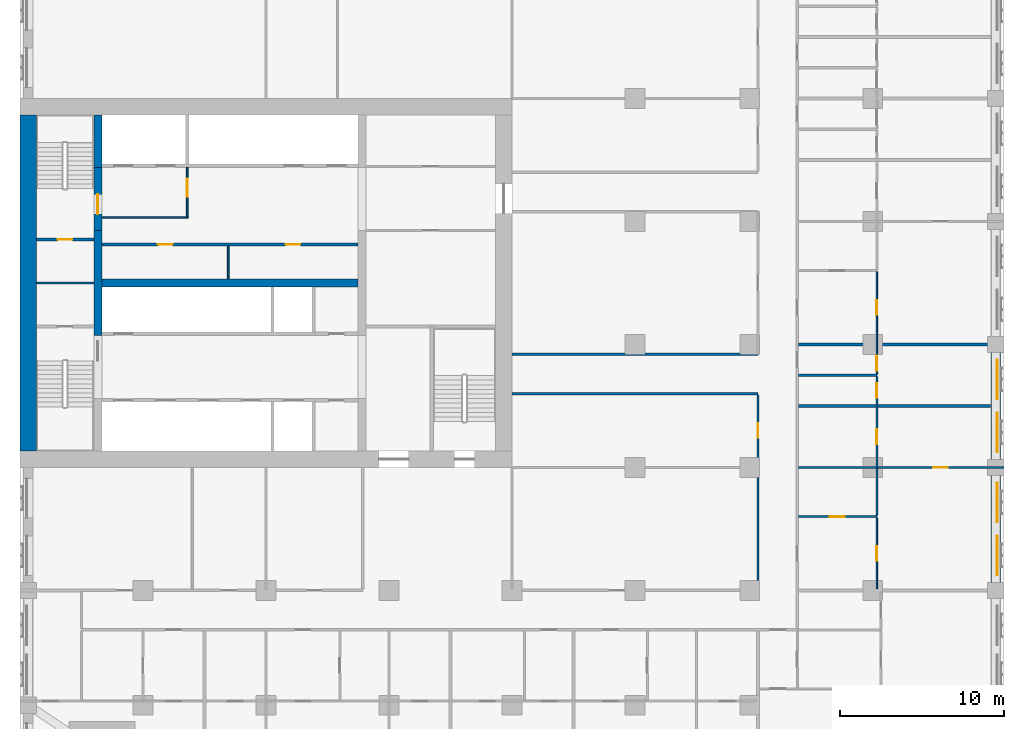
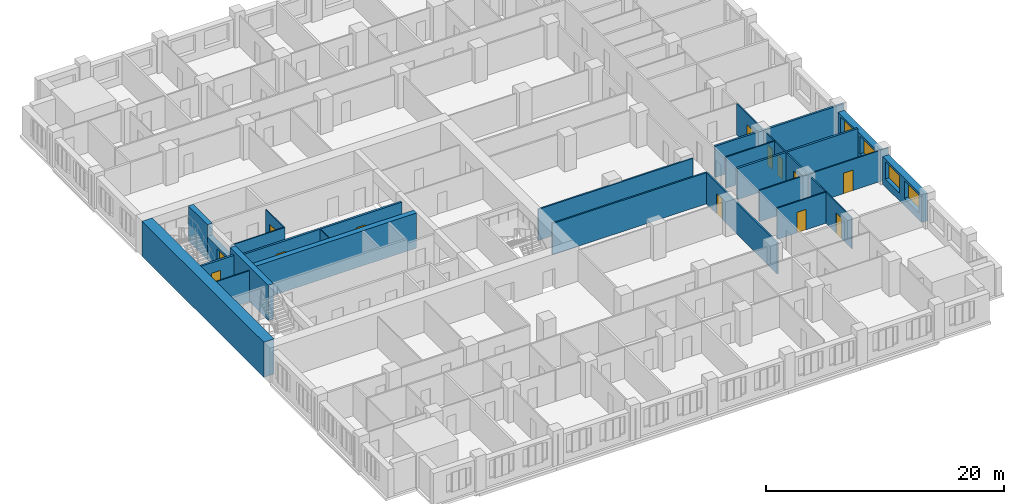
# One storey, part 7 of 14: 25 walls, 13 doors, 4 windows, 17 openings.
"""IFC4 building model written with IfcOpenShell, lengths in metres."""

from ifc_helpers import new_model, si_unit, direction, frame, frame_2d, origin, place, context, subcontext, project, spatial, rectangle, extrude, material, layer, layer_set, type_object, element, fill, save


model = new_model("IFC4")

# Units and contexts
model_context = context("Model", 3, precision=1e-05, world=origin(), true_north=direction((0.0, 1.0)))
body_context = subcontext(model_context, "Body", "Model", "MODEL_VIEW")
ifc_project = project(units=[si_unit("LENGTHUNIT", "METRE"), si_unit("AREAUNIT", "SQUARE_METRE"), si_unit("VOLUMEUNIT", "CUBIC_METRE"), si_unit("PLANEANGLEUNIT", "RADIAN"), si_unit("MASSUNIT", "GRAM", prefix="KILO")], contexts=[model_context])

# Site, building, storey
site_placement = place(None, origin())
site = spatial("IfcSite", under=ifc_project, at=site_placement, CompositionType="ELEMENT")
building_placement = place(site_placement, origin())
building = spatial("IfcBuilding", under=site, at=building_placement, Name="Tamorin Gate", CompositionType="ELEMENT")
storey_placement = place(building_placement, frame((0.0, 0.0, 70.0)))
storey = spatial("IfcBuildingStorey", under=building, at=storey_placement, Name="L16", CompositionType="ELEMENT", Elevation=70.0)

# Wall, openings, windows
ifc_material_1 = material(Name="Precast concrete C40/50", Category="concrete")
ifc_layer_1 = layer(ifc_material_1, 0.60009765625)
ifc_layer_set_1 = layer_set([ifc_layer_1], Name="Precast concrete C40/50")
wall_type_1 = type_object("IfcWallType", Name="Board-marked concrete facade panel 600", PredefinedType="SOLIDWALL", material=ifc_layer_set_1)
wall_1_placement = place(storey_placement, frame((89.5, 53.0, 0.0), z_axis=(0.0, 0.0, 1.0), x_axis=(0.0, 1.0, 0.0)))
wall_1 = element("IfcWall", 1, at=wall_1_placement, inside=storey, type_object=wall_type_1, Name="Facade panel", PredefinedType="SOLIDWALL", context=body_context, shape_type="SweptSolid", body=[
    extrude(rectangle(XDim=6.5, YDim=0.60009765625, at=frame_2d((3.25, 0.0))), origin(), (0.0, 0.0, 1.0), 2.85009765625),
])
opening_1_placement = place(wall_1_placement, frame((0.425048828125, 0.0, 0.800048828125)))
opening_1 = element("IfcOpeningElement", 2, at=opening_1_placement, cuts=wall_1, Name="Opening WN1", PredefinedType="OPENING", context=body_context, shape_type="SweptSolid", body=[
    extrude(rectangle(XDim=2.39990234375, YDim=1.800048828125, at=frame_2d((1.199951171875, 0.89990234375))), frame((0.0, 0.31005859375, 0.0), z_axis=(0.0, -1.0, 0.0), x_axis=(1.0, 0.0, 0.0)), (0.0, 0.0, 1.0), 0.6201171875),
])
opening_2_placement = place(wall_1_placement, frame((3.675048828125, 0.0, 0.800048828125)))
opening_2 = element("IfcOpeningElement", 3, at=opening_2_placement, cuts=wall_1, Name="Opening WN1", PredefinedType="OPENING", context=body_context, shape_type="SweptSolid", body=[
    extrude(rectangle(XDim=2.39990234375, YDim=1.800048828125, at=frame_2d((1.199951171875, 0.89990234375))), frame((0.0, 0.31005859375, 0.0), z_axis=(0.0, -1.0, 0.0), x_axis=(1.0, 0.0, 0.0)), (0.0, 0.0, 1.0), 0.6201171875),
])
ifc_material_2 = material(Name="Clear glass in aluminium frame", Category="aluminium")
window_type = type_object("IfcWindowType", Name="Deep-set window 2400x1800", PartitioningType="SINGLE_PANEL", PredefinedType="WINDOW", material=ifc_material_2)
window_1_placement = place(opening_1_placement, origin())
window_1 = element("IfcWindow", 4, at=window_1_placement, inside=storey, type_object=window_type, Name="Deep-set window", OverallHeight=1.800048828125, OverallWidth=2.39990234375, PartitioningType="SINGLE_PANEL", PredefinedType="WINDOW", context=body_context, shape_type="SweptSolid", body=[
    extrude(rectangle(XDim=2.39990234375, YDim=1.800048828125, at=frame_2d((1.199951171875, 0.89990234375))), frame((0.0, -0.070068359375, 0.0), z_axis=(0.0, -1.0, 0.0), x_axis=(1.0, 0.0, 0.0)), (0.0, 0.0, 1.0), 0.06005859375),
])
fill(opening_1, window_1)
window_2_placement = place(opening_2_placement, origin())
window_2 = element("IfcWindow", 5, at=window_2_placement, inside=storey, type_object=window_type, Name="Deep-set window", OverallHeight=1.800048828125, OverallWidth=2.39990234375, PartitioningType="SINGLE_PANEL", PredefinedType="WINDOW", context=body_context, shape_type="SweptSolid", body=[
    extrude(rectangle(XDim=2.39990234375, YDim=1.800048828125, at=frame_2d((1.199951171875, 0.89990234375))), frame((0.0, -0.070068359375, 0.0), z_axis=(0.0, -1.0, 0.0), x_axis=(1.0, 0.0, 0.0)), (0.0, 0.0, 1.0), 0.06005859375),
])
fill(opening_2, window_2)

wall_2_placement = place(storey_placement, frame((89.5, 60.5, 0.0), z_axis=(0.0, 0.0, 1.0), x_axis=(0.0, 1.0, 0.0)))
wall_2 = element("IfcWall", 6, at=wall_2_placement, inside=storey, type_object=wall_type_1, Name="Facade panel", PredefinedType="SOLIDWALL", context=body_context, shape_type="SweptSolid", body=[
    extrude(rectangle(XDim=6.5, YDim=0.60009765625, at=frame_2d((3.25, 0.0))), origin(), (0.0, 0.0, 1.0), 2.85009765625),
])
opening_3_placement = place(wall_2_placement, frame((0.425048828125, 0.0, 0.800048828125)))
opening_3 = element("IfcOpeningElement", 7, at=opening_3_placement, cuts=wall_2, Name="Opening WN1", PredefinedType="OPENING", context=body_context, shape_type="SweptSolid", body=[
    extrude(rectangle(XDim=2.39990234375, YDim=1.800048828125, at=frame_2d((1.199951171875, 0.89990234375))), frame((0.0, 0.31005859375, 0.0), z_axis=(0.0, -1.0, 0.0), x_axis=(1.0, 0.0, 0.0)), (0.0, 0.0, 1.0), 0.6201171875),
])
opening_4_placement = place(wall_2_placement, frame((3.675048828125, 0.0, 0.800048828125)))
opening_4 = element("IfcOpeningElement", 8, at=opening_4_placement, cuts=wall_2, Name="Opening WN1", PredefinedType="OPENING", context=body_context, shape_type="SweptSolid", body=[
    extrude(rectangle(XDim=2.39990234375, YDim=1.800048828125, at=frame_2d((1.199951171875, 0.89990234375))), frame((0.0, 0.31005859375, 0.0), z_axis=(0.0, -1.0, 0.0), x_axis=(1.0, 0.0, 0.0)), (0.0, 0.0, 1.0), 0.6201171875),
])
window_3_placement = place(opening_3_placement, origin())
window_3 = element("IfcWindow", 9, at=window_3_placement, inside=storey, type_object=window_type, Name="Deep-set window", OverallHeight=1.800048828125, OverallWidth=2.39990234375, PartitioningType="SINGLE_PANEL", PredefinedType="WINDOW", context=body_context, shape_type="SweptSolid", body=[
    extrude(rectangle(XDim=2.39990234375, YDim=1.800048828125, at=frame_2d((1.199951171875, 0.89990234375))), frame((0.0, -0.070068359375, 0.0), z_axis=(0.0, -1.0, 0.0), x_axis=(1.0, 0.0, 0.0)), (0.0, 0.0, 1.0), 0.06005859375),
])
fill(opening_3, window_3)
window_4_placement = place(opening_4_placement, origin())
window_4 = element("IfcWindow", 10, at=window_4_placement, inside=storey, type_object=window_type, Name="Deep-set window", OverallHeight=1.800048828125, OverallWidth=2.39990234375, PartitioningType="SINGLE_PANEL", PredefinedType="WINDOW", context=body_context, shape_type="SweptSolid", body=[
    extrude(rectangle(XDim=2.39990234375, YDim=1.800048828125, at=frame_2d((1.199951171875, 0.89990234375))), frame((0.0, -0.070068359375, 0.0), z_axis=(0.0, -1.0, 0.0), x_axis=(1.0, 0.0, 0.0)), (0.0, 0.0, 1.0), 0.06005859375),
])
fill(opening_4, window_4)

# Wall, opening, door
ifc_material_3 = material(Name="Gypsum board partition")
ifc_layer_2 = layer(ifc_material_3, 0.14990234375)
ifc_layer_set_2 = layer_set([ifc_layer_2], Name="Corridor wall 150")
wall_type_2 = type_object("IfcWallType", Name="Corridor wall 150", PredefinedType="PARTITIONING", material=ifc_layer_set_2)
wall_3_placement = place(storey_placement, frame((75.0, 52.574951171875, 0.0), z_axis=(0.0, 0.0, 1.0), x_axis=(0.0, 1.0, 0.0)))
wall_3 = element("IfcWall", 11, at=wall_3_placement, inside=storey, type_object=wall_type_2, Name="Corridor wall 150", PredefinedType="PARTITIONING", context=body_context, shape_type="SweptSolid", body=[
    extrude(rectangle(XDim=11.85009765625, YDim=0.14990234375, at=frame_2d((5.925048828125, 0.0))), origin(), (0.0, 0.0, 1.0), 3.199951171875),
])
opening_5_placement = place(wall_3_placement, frame((9.22509765625, 0.0, 0.0)))
opening_5 = element("IfcOpeningElement", 12, at=opening_5_placement, cuts=wall_3, Name="Opening DH3081", PredefinedType="OPENING", context=body_context, shape_type="SweptSolid", body=[
    extrude(rectangle(XDim=0.89990234375, YDim=2.10009765625, at=frame_2d((0.449951171875, 1.050048828125))), frame((0.0, 0.0849609375, 0.0), z_axis=(0.0, -1.0, 0.0), x_axis=(1.0, 0.0, 0.0)), (0.0, 0.0, 1.0), 0.169921875),
])
ifc_material_4 = material(Name="Timber door leaf", Category="wood")
door_type_1 = type_object("IfcDoorType", Name="Door 900 x 2100 FD30S", OperationType="NOTDEFINED", PredefinedType="DOOR", material=ifc_material_4)
door_1_placement = place(opening_5_placement, origin())
door_1 = element("IfcDoor", 13, at=door_1_placement, inside=storey, type_object=door_type_1, Name="Door DH3081", OperationType="SINGLE_SWING_LEFT", OverallHeight=2.10009765625, OverallWidth=0.89990234375, PredefinedType="DOOR", context=body_context, shape_type="SweptSolid", body=[
    extrude(rectangle(XDim=0.89990234375, YDim=2.10009765625, at=frame_2d((0.449951171875, 1.050048828125))), frame((0.0, 0.02490234375, 0.0), z_axis=(0.0, -1.0, 0.0), x_axis=(1.0, 0.0, 0.0)), (0.0, 0.0, 1.0), 0.050048828125),
])
fill(opening_5, door_1)

# Walls
ifc_layer_3 = layer(ifc_material_3, 0.199951171875)
ifc_layer_set_3 = layer_set([ifc_layer_3], Name="Demising wall 200")
wall_type_3 = type_object("IfcWallType", Name="Demising wall 200", PredefinedType="PARTITIONING", material=ifc_layer_set_3)
wall_4_placement = place(storey_placement, frame((77.47509765625, 63.75, 0.0), z_axis=(0.0, 0.0, 1.0), x_axis=(1.0, 0.0, 0.0)))
element("IfcWall", 14, at=wall_4_placement, inside=storey, type_object=wall_type_3, Name="Demising wall 200", PredefinedType="PARTITIONING", context=body_context, shape_type="SweptSolid", body=[
    extrude(rectangle(XDim=11.71484375, YDim=0.199951171875, at=frame_2d((5.857421875, 0.0))), origin(), (0.0, 0.0, 1.0), 3.199951171875),
])
wall_5_placement = place(storey_placement, frame((77.47509765625, 67.5, 0.0), z_axis=(0.0, 0.0, 1.0), x_axis=(1.0, 0.0, 0.0)))
element("IfcWall", 15, at=wall_5_placement, inside=storey, type_object=wall_type_3, Name="Demising wall 200", PredefinedType="PARTITIONING", context=body_context, shape_type="SweptSolid", body=[
    extrude(rectangle(XDim=12.52490234375, YDim=0.199951171875, at=frame_2d((6.262451171875, 0.0))), origin(), (0.0, 0.0, 1.0), 3.199951171875),
])
ifc_material_5 = material(Name="Fire-rated gypsum board partition")
ifc_layer_4 = layer(ifc_material_5, 0.10009765625)
ifc_layer_set_4 = layer_set([ifc_layer_4], Name="Lobby wall 100 EI 60")
wall_type_4 = type_object("IfcWallType", Name="Lobby wall 100 EI 60", PredefinedType="PARTITIONING", material=ifc_layer_set_4)
wall_6_placement = place(storey_placement, frame((35.0, 75.25, 0.0), z_axis=(0.0, 0.0, 1.0), x_axis=(1.0, 0.0, 0.0)))
element("IfcWall", 16, at=wall_6_placement, inside=storey, type_object=wall_type_4, Name="Firefighting lobby wall", PredefinedType="PARTITIONING", context=body_context, shape_type="SweptSolid", body=[
    extrude(rectangle(XDim=5.25, YDim=0.10009765625, at=frame_2d((2.625, 0.0))), origin(), (0.0, 0.0, 1.0), 3.18994140625),
])

# Wall, opening, door
wall_7_placement = place(storey_placement, frame((40.199951171875, 75.300048828125, 0.0), z_axis=(0.0, 0.0, 1.0), x_axis=(0.0, 1.0, 0.0)))
wall_7 = element("IfcWall", 17, at=wall_7_placement, inside=storey, type_object=wall_type_4, Name="Firefighting lobby wall", PredefinedType="PARTITIONING", context=body_context, shape_type="SweptSolid", body=[
    extrude(rectangle(XDim=3.0, YDim=0.10009765625, at=frame_2d((1.5, 0.0))), origin(), (0.0, 0.0, 1.0), 3.18994140625),
])
opening_6_placement = place(wall_7_placement, frame((1.199951171875, 0.0, 0.0)))
opening_6 = element("IfcOpeningElement", 18, at=opening_6_placement, cuts=wall_7, Name="Opening DF1", PredefinedType="OPENING", context=body_context, shape_type="SweptSolid", body=[
    extrude(rectangle(XDim=1.10009765625, YDim=2.10009765625, at=frame_2d((0.550048828125, 1.050048828125))), frame((0.0, 0.06005859375, 0.0), z_axis=(0.0, -1.0, 0.0), x_axis=(1.0, 0.0, 0.0)), (0.0, 0.0, 1.0), 0.1201171875),
])
ifc_material_6 = material(Name="Steel fire door", Category="steel")
door_type_2 = type_object("IfcDoorType", Name="Firefighting lobby door 1100 x 2100 EI 90", OperationType="SINGLE_SWING_LEFT", PredefinedType="DOOR", material=ifc_material_6)
door_2_placement = place(opening_6_placement, origin())
door_2 = element("IfcDoor", 19, at=door_2_placement, inside=storey, type_object=door_type_2, Name="Firefighting lobby door", OperationType="SINGLE_SWING_LEFT", OverallHeight=2.10009765625, OverallWidth=1.10009765625, PredefinedType="DOOR", context=body_context, shape_type="SweptSolid", body=[
    extrude(rectangle(XDim=1.10009765625, YDim=2.10009765625, at=frame_2d((0.550048828125, 1.050048828125))), frame((0.0, 0.02490234375, 0.0), z_axis=(0.0, -1.0, 0.0), x_axis=(1.0, 0.0, 0.0)), (0.0, 0.0, 1.0), 0.050048828125),
])
fill(opening_6, door_2)

# Walls
ifc_layer_5 = layer(ifc_material_3, 0.14990234375)
ifc_layer_set_5 = layer_set([ifc_layer_5], Name="Lobby wall 150")
wall_type_5 = type_object("IfcWallType", Name="Lobby wall 150", PredefinedType="PARTITIONING", material=ifc_layer_set_5)
for number, where, z_axis, x_axis, name in (
    (20, (60.0, 64.5, 0.0), (0.0, 0.0, 1.0), (1.0, 0.0, 0.0), "Lobby wall 150"),
    (21, (60.0, 66.89990234375, 0.0), (0.0, 0.0, 1.0), (1.0, 0.0, 0.0), "Lobby wall 150"),
):
    element("IfcWall", number, at=place(storey_placement, frame(where, z_axis=z_axis, x_axis=x_axis)), inside=storey, type_object=wall_type_5, Name=name, PredefinedType="PARTITIONING", context=body_context, shape_type="SweptSolid", body=[
        extrude(rectangle(XDim=15.0, YDim=0.14990234375, at=frame_2d((7.5, 0.0))), origin(), (0.0, 0.0, 1.0), 3.199951171875),
    ])
ifc_material_7 = material(Name="Concrete C80/95", Category="concrete")
ifc_layer_6 = layer(ifc_material_7, 0.5)
ifc_layer_set_6 = layer_set([ifc_layer_6], Name="RC core internal wall 500 C80/95")
wall_type_6 = type_object("IfcWallType", Name="RC core internal wall 500 C80/95", PredefinedType="SHEAR", material=ifc_layer_set_6)
wall_8_placement = place(storey_placement, frame((35.0, 71.25, 0.0), z_axis=(0.0, 0.0, 1.0), x_axis=(1.0, 0.0, 0.0)))
element("IfcWall", 22, at=wall_8_placement, inside=storey, type_object=wall_type_6, Name="Core spine wall L16", PredefinedType="SHEAR", context=body_context, shape_type="SweptSolid", body=[
    extrude(rectangle(XDim=15.60009765625, YDim=0.5, at=frame_2d((7.800048828125, 0.0))), origin(), (0.0, 0.0, 1.0), 3.60009765625),
])
wall_9_placement = place(storey_placement, frame((34.75, 68.050048828125, 0.0), z_axis=(0.0, 0.0, 1.0), x_axis=(0.0, 1.0, 0.0)))
element("IfcWall", 23, at=wall_9_placement, inside=storey, type_object=wall_type_6, Name="Core cross wall L16", PredefinedType="SHEAR", context=body_context, shape_type="SweptSolid", body=[
    extrude(rectangle(XDim=6.39990234375, YDim=0.5, at=frame_2d((3.199951171875, 0.0))), origin(), (0.0, 0.0, 1.0), 3.60009765625),
])
wall_10_placement = place(storey_placement, frame((34.75, 78.300048828125, 0.0), z_axis=(0.0, 0.0, 1.0), x_axis=(0.0, 1.0, 0.0)))
element("IfcWall", 24, at=wall_10_placement, inside=storey, type_object=wall_type_6, Name="Core cross wall L16", PredefinedType="SHEAR", context=body_context, shape_type="SweptSolid", body=[
    extrude(rectangle(XDim=3.199951171875, YDim=0.5, at=frame_2d((1.60009765625, 0.0))), origin(), (0.0, 0.0, 1.0), 3.60009765625),
])
ifc_layer_7 = layer(ifc_material_7, 1.0)
ifc_layer_set_7 = layer_set([ifc_layer_7], Name="RC core wall 1000 C80/95")
wall_type_7 = type_object("IfcWallType", Name="RC core wall 1000 C80/95", PredefinedType="SHEAR", material=ifc_layer_set_7)
wall_11_placement = place(storey_placement, frame((30.5, 61.0, 0.0), z_axis=(0.0, 0.0, 1.0), x_axis=(0.0, 1.0, 0.0)))
element("IfcWall", 25, at=wall_11_placement, inside=storey, type_object=wall_type_7, Name="Core wall L16", PredefinedType="SHEAR", context=body_context, shape_type="SweptSolid", body=[
    extrude(rectangle(XDim=20.5, YDim=1.0, at=frame_2d((10.25, 0.0))), origin(), (0.0, 0.0, 1.0), 3.60009765625),
])
ifc_layer_8 = layer(ifc_material_5, 0.10009765625)
ifc_layer_set_8 = layer_set([ifc_layer_8], Name="Riser partition 100 EI 120")
wall_type_8 = type_object("IfcWallType", Name="Riser partition 100 EI 120", PredefinedType="PARTITIONING", material=ifc_layer_set_8)
wall_12_placement = place(storey_placement, frame((31.0, 71.25, 0.0), z_axis=(0.0, 0.0, 1.0), x_axis=(1.0, 0.0, 0.0)))
element("IfcWall", 26, at=wall_12_placement, inside=storey, type_object=wall_type_8, Name="Riser partition", PredefinedType="PARTITIONING", context=body_context, shape_type="SweptSolid", body=[
    extrude(rectangle(XDim=3.5, YDim=0.10009765625, at=frame_2d((1.75, 0.0))), origin(), (0.0, 0.0, 1.0), 3.18994140625),
])

# Wall, opening, door
ifc_layer_9 = layer(ifc_material_3, 0.10009765625)
ifc_layer_set_9 = layer_set([ifc_layer_9], Name="Room partition 100")
wall_type_9 = type_object("IfcWallType", Name="Room partition 100", PredefinedType="PARTITIONING", material=ifc_layer_set_9)
wall_13_placement = place(storey_placement, frame((82.3125, 60.0, 0.0), z_axis=(0.0, 0.0, 1.0), x_axis=(1.0, 0.0, 0.0)))
wall_13 = element("IfcWall", 27, at=wall_13_placement, inside=storey, type_object=wall_type_9, Name="Room partition 100", PredefinedType="PARTITIONING", context=body_context, shape_type="SweptSolid", body=[
    extrude(rectangle(XDim=7.6875, YDim=0.10009765625, at=frame_2d((3.84375, 0.0))), origin(), (0.0, 0.0, 1.0), 3.199951171875),
])
opening_7_placement = place(wall_13_placement, frame((3.362548828125, 0.0, 0.0)))
opening_7 = element("IfcOpeningElement", 28, at=opening_7_placement, cuts=wall_13, Name="Opening DH3043", PredefinedType="OPENING", context=body_context, shape_type="SweptSolid", body=[
    extrude(rectangle(XDim=0.89990234375, YDim=2.10009765625, at=frame_2d((0.449951171875, 1.050048828125))), frame((0.0, 0.06005859375, 0.0), z_axis=(0.0, -1.0, 0.0), x_axis=(1.0, 0.0, 0.0)), (0.0, 0.0, 1.0), 0.1201171875),
])
door_type_3 = type_object("IfcDoorType", Name="Door 900 x 2100", OperationType="NOTDEFINED", PredefinedType="DOOR", material=ifc_material_4)
door_3_placement = place(opening_7_placement, origin())
door_3 = element("IfcDoor", 29, at=door_3_placement, inside=storey, type_object=door_type_3, Name="Door DH3043", OperationType="SINGLE_SWING_RIGHT", OverallHeight=2.10009765625, OverallWidth=0.89990234375, PredefinedType="DOOR", context=body_context, shape_type="SweptSolid", body=[
    extrude(rectangle(XDim=0.89990234375, YDim=2.10009765625, at=frame_2d((0.449951171875, 1.050048828125))), frame((0.0, 0.02490234375, 0.0), z_axis=(0.0, -1.0, 0.0), x_axis=(1.0, 0.0, 0.0)), (0.0, 0.0, 1.0), 0.050048828125),
])
fill(opening_7, door_3)

wall_14_placement = place(storey_placement, frame((82.25, 52.60009765625, 0.0), z_axis=(0.0, 0.0, 1.0), x_axis=(0.0, 1.0, 0.0)))
wall_14 = element("IfcWall", 30, at=wall_14_placement, inside=storey, type_object=wall_type_9, Name="Room partition 100", PredefinedType="PARTITIONING", context=body_context, shape_type="SweptSolid", body=[
    extrude(rectangle(XDim=4.33740234375, YDim=0.10009765625, at=frame_2d((2.168701171875, 0.0))), origin(), (0.0, 0.0, 1.0), 3.199951171875),
])
opening_8_placement = place(wall_14_placement, frame((1.699951171875, 0.0, 0.0)))
opening_8 = element("IfcOpeningElement", 31, at=opening_8_placement, cuts=wall_14, Name="Opening DH3040", PredefinedType="OPENING", context=body_context, shape_type="SweptSolid", body=[
    extrude(rectangle(XDim=0.89990234375, YDim=2.10009765625, at=frame_2d((0.449951171875, 1.050048828125))), frame((0.0, 0.06005859375, 0.0), z_axis=(0.0, -1.0, 0.0), x_axis=(1.0, 0.0, 0.0)), (0.0, 0.0, 1.0), 0.1201171875),
])
door_4_placement = place(opening_8_placement, origin())
door_4 = element("IfcDoor", 32, at=door_4_placement, inside=storey, type_object=door_type_3, Name="Door DH3040", OperationType="SINGLE_SWING_LEFT", OverallHeight=2.10009765625, OverallWidth=0.89990234375, PredefinedType="DOOR", context=body_context, shape_type="SweptSolid", body=[
    extrude(rectangle(XDim=0.89990234375, YDim=2.10009765625, at=frame_2d((0.449951171875, 1.050048828125))), frame((0.0, 0.02490234375, 0.0), z_axis=(0.0, -1.0, 0.0), x_axis=(1.0, 0.0, 0.0)), (0.0, 0.0, 1.0), 0.050048828125),
])
fill(opening_8, door_4)

# Wall, openings, doors
wall_15_placement = place(storey_placement, frame((82.25, 65.6875, 0.0), z_axis=(0.0, 0.0, 1.0), x_axis=(0.0, 1.0, 0.0)))
wall_15 = element("IfcWall", 33, at=wall_15_placement, inside=storey, type_object=wall_type_9, Name="Room partition 100", PredefinedType="PARTITIONING", context=body_context, shape_type="SweptSolid", body=[
    extrude(rectangle(XDim=6.25, YDim=0.10009765625, at=frame_2d((3.125, 0.0))), origin(), (0.0, 0.0, 1.0), 3.199951171875),
])
opening_9_placement = place(wall_15_placement, frame((0.22509765625, 0.0, 0.0)))
opening_9 = element("IfcOpeningElement", 34, at=opening_9_placement, cuts=wall_15, Name="Opening DH3046", PredefinedType="OPENING", context=body_context, shape_type="SweptSolid", body=[
    extrude(rectangle(XDim=0.89990234375, YDim=2.10009765625, at=frame_2d((0.449951171875, 1.050048828125))), frame((0.0, 0.06005859375, 0.0), z_axis=(0.0, -1.0, 0.0), x_axis=(1.0, 0.0, 0.0)), (0.0, 0.0, 1.0), 0.1201171875),
])
opening_10_placement = place(wall_15_placement, frame((3.612548828125, 0.0, 0.0)))
opening_10 = element("IfcOpeningElement", 35, at=opening_10_placement, cuts=wall_15, Name="Opening DH3048", PredefinedType="OPENING", context=body_context, shape_type="SweptSolid", body=[
    extrude(rectangle(XDim=0.89990234375, YDim=2.10009765625, at=frame_2d((0.449951171875, 1.050048828125))), frame((0.0, 0.06005859375, 0.0), z_axis=(0.0, -1.0, 0.0), x_axis=(1.0, 0.0, 0.0)), (0.0, 0.0, 1.0), 0.1201171875),
])
door_5_placement = place(opening_9_placement, origin())
door_5 = element("IfcDoor", 36, at=door_5_placement, inside=storey, type_object=door_type_3, Name="Door DH3046", OperationType="SINGLE_SWING_LEFT", OverallHeight=2.10009765625, OverallWidth=0.89990234375, PredefinedType="DOOR", context=body_context, shape_type="SweptSolid", body=[
    extrude(rectangle(XDim=0.89990234375, YDim=2.10009765625, at=frame_2d((0.449951171875, 1.050048828125))), frame((0.0, 0.02490234375, 0.0), z_axis=(0.0, -1.0, 0.0), x_axis=(1.0, 0.0, 0.0)), (0.0, 0.0, 1.0), 0.050048828125),
])
fill(opening_9, door_5)
door_6_placement = place(opening_10_placement, origin())
door_6 = element("IfcDoor", 37, at=door_6_placement, inside=storey, type_object=door_type_3, Name="Door DH3048", OperationType="SINGLE_SWING_LEFT", OverallHeight=2.10009765625, OverallWidth=0.89990234375, PredefinedType="DOOR", context=body_context, shape_type="SweptSolid", body=[
    extrude(rectangle(XDim=0.89990234375, YDim=2.10009765625, at=frame_2d((0.449951171875, 1.050048828125))), frame((0.0, 0.02490234375, 0.0), z_axis=(0.0, -1.0, 0.0), x_axis=(1.0, 0.0, 0.0)), (0.0, 0.0, 1.0), 0.050048828125),
])
fill(opening_10, door_6)

ifc_layer_10 = layer(ifc_material_3, 0.199951171875)
ifc_layer_set_10 = layer_set([ifc_layer_10], Name="Service room face wall 200 EI 60")
wall_type_10 = type_object("IfcWallType", Name="Service room face wall 200 EI 60", PredefinedType="PARTITIONING", material=ifc_layer_set_10)
wall_16_placement = place(storey_placement, frame((35.0, 73.60009765625, 0.0), z_axis=(0.0, 0.0, 1.0), x_axis=(1.0, 0.0, 0.0)))
wall_16 = element("IfcWall", 38, at=wall_16_placement, inside=storey, type_object=wall_type_10, Name="Service room face wall", PredefinedType="PARTITIONING", context=body_context, shape_type="SweptSolid", body=[
    extrude(rectangle(XDim=15.60009765625, YDim=0.199951171875, at=frame_2d((7.800048828125, 0.0))), origin(), (0.0, 0.0, 1.0), 3.18994140625),
])
opening_11_placement = place(wall_16_placement, frame((3.39990234375, 0.0, 0.0)))
opening_11 = element("IfcOpeningElement", 39, at=opening_11_placement, cuts=wall_16, Name="Opening DK1", PredefinedType="OPENING", context=body_context, shape_type="SweptSolid", body=[
    extrude(rectangle(XDim=0.89990234375, YDim=2.10009765625, at=frame_2d((0.449951171875, 1.050048828125))), frame((0.0, 0.10986328125, 0.0), z_axis=(0.0, -1.0, 0.0), x_axis=(1.0, 0.0, 0.0)), (0.0, 0.0, 1.0), 0.219970703125),
])
opening_12_placement = place(wall_16_placement, frame((11.199951171875, 0.0, 0.0)))
opening_12 = element("IfcOpeningElement", 40, at=opening_12_placement, cuts=wall_16, Name="Opening DK1", PredefinedType="OPENING", context=body_context, shape_type="SweptSolid", body=[
    extrude(rectangle(XDim=0.89990234375, YDim=2.10009765625, at=frame_2d((0.449951171875, 1.050048828125))), frame((0.0, 0.10986328125, 0.0), z_axis=(0.0, -1.0, 0.0), x_axis=(1.0, 0.0, 0.0)), (0.0, 0.0, 1.0), 0.219970703125),
])
ifc_material_8 = material(Name="Timber fire door", Category="wood")
door_type_4 = type_object("IfcDoorType", Name="Service room door 900 x 2100 EI 60", OperationType="SINGLE_SWING_LEFT", PredefinedType="DOOR", material=ifc_material_8)
door_7_placement = place(opening_11_placement, origin())
door_7 = element("IfcDoor", 41, at=door_7_placement, inside=storey, type_object=door_type_4, Name="Door Housekeeping store", OperationType="SINGLE_SWING_RIGHT", OverallHeight=2.10009765625, OverallWidth=0.89990234375, PredefinedType="DOOR", context=body_context, shape_type="SweptSolid", body=[
    extrude(rectangle(XDim=0.89990234375, YDim=2.10009765625, at=frame_2d((0.449951171875, 1.050048828125))), frame((0.0, 0.02490234375, 0.0), z_axis=(0.0, -1.0, 0.0), x_axis=(1.0, 0.0, 0.0)), (0.0, 0.0, 1.0), 0.050048828125),
])
fill(opening_11, door_7)
door_8_placement = place(opening_12_placement, origin())
door_8 = element("IfcDoor", 42, at=door_8_placement, inside=storey, type_object=door_type_4, Name="Door Electrical and IT room", OperationType="SINGLE_SWING_LEFT", OverallHeight=2.10009765625, OverallWidth=0.89990234375, PredefinedType="DOOR", context=body_context, shape_type="SweptSolid", body=[
    extrude(rectangle(XDim=0.89990234375, YDim=2.10009765625, at=frame_2d((0.449951171875, 1.050048828125))), frame((0.0, 0.02490234375, 0.0), z_axis=(0.0, -1.0, 0.0), x_axis=(1.0, 0.0, 0.0)), (0.0, 0.0, 1.0), 0.050048828125),
])
fill(opening_12, door_8)

# Wall
ifc_layer_11 = layer(ifc_material_3, 0.10009765625)
ifc_layer_set_11 = layer_set([ifc_layer_11], Name="Service room partition 100 EI 60")
wall_type_11 = type_object("IfcWallType", Name="Service room partition 100 EI 60", PredefinedType="PARTITIONING", material=ifc_layer_set_11)
wall_17_placement = place(storey_placement, frame((42.699951171875, 71.5, 0.0), z_axis=(0.0, 0.0, 1.0), x_axis=(0.0, 1.0, 0.0)))
element("IfcWall", 43, at=wall_17_placement, inside=storey, type_object=wall_type_11, Name="Service room partition", PredefinedType="PARTITIONING", context=body_context, shape_type="SweptSolid", body=[
    extrude(rectangle(XDim=2.0, YDim=0.10009765625, at=frame_2d((1.0, 0.0))), origin(), (0.0, 0.0, 1.0), 3.18994140625),
])

# Wall, opening, door
ifc_material_9 = material(Name="Concrete C40/50", Category="concrete")
ifc_layer_12 = layer(ifc_material_9, 0.199951171875)
ifc_layer_set_12 = layer_set([ifc_layer_12], Name="Stair enclosure wall 200 EI 120 C40/50")
wall_type_12 = type_object("IfcWallType", Name="Stair enclosure wall 200 EI 120 C40/50", PredefinedType="SOLIDWALL", material=ifc_layer_set_12)
wall_18_placement = place(storey_placement, frame((31.0, 73.89990234375, 0.0), z_axis=(0.0, 0.0, 1.0), x_axis=(1.0, 0.0, 0.0)))
wall_18 = element("IfcWall", 44, at=wall_18_placement, inside=storey, type_object=wall_type_12, Name="Stair enclosure wall", PredefinedType="SOLIDWALL", context=body_context, shape_type="SweptSolid", body=[
    extrude(rectangle(XDim=3.5, YDim=0.199951171875, at=frame_2d((1.75, 0.0))), origin(), (0.0, 0.0, 1.0), 3.18994140625),
])
opening_13_placement = place(wall_18_placement, frame((1.300048828125, 0.0, 0.0)))
opening_13 = element("IfcOpeningElement", 45, at=opening_13_placement, cuts=wall_18, Name="Opening DR1", PredefinedType="OPENING", context=body_context, shape_type="SweptSolid", body=[
    extrude(rectangle(XDim=0.89990234375, YDim=2.10009765625, at=frame_2d((0.449951171875, 1.050048828125))), frame((0.0, 0.10986328125, 0.0), z_axis=(0.0, -1.0, 0.0), x_axis=(1.0, 0.0, 0.0)), (0.0, 0.0, 1.0), 0.219970703125),
])
door_type_5 = type_object("IfcDoorType", Name="Riser access door 900 x 2100 EI 120", OperationType="SINGLE_SWING_LEFT", PredefinedType="DOOR", material=ifc_material_6)
door_9_placement = place(opening_13_placement, origin())
door_9 = element("IfcDoor", 46, at=door_9_placement, inside=storey, type_object=door_type_5, Name="Communications riser door", OperationType="SINGLE_SWING_RIGHT", OverallHeight=2.10009765625, OverallWidth=0.89990234375, PredefinedType="DOOR", context=body_context, shape_type="SweptSolid", body=[
    extrude(rectangle(XDim=0.89990234375, YDim=2.10009765625, at=frame_2d((0.449951171875, 1.050048828125))), frame((0.0, 0.02490234375, 0.0), z_axis=(0.0, -1.0, 0.0), x_axis=(1.0, 0.0, 0.0)), (0.0, 0.0, 1.0), 0.050048828125),
])
fill(opening_13, door_9)

ifc_material_10 = material(Name="Concrete C32/40", Category="concrete")
ifc_layer_13 = layer(ifc_material_10, 0.5)
ifc_layer_set_13 = layer_set([ifc_layer_13], Name="Stair lobby infill wall 500 EI 120")
wall_type_13 = type_object("IfcWallType", Name="Stair lobby infill wall 500 EI 120", PredefinedType="SOLIDWALL", material=ifc_layer_set_13)
wall_19_placement = place(storey_placement, frame((34.75, 74.449951171875, 0.0), z_axis=(0.0, 0.0, 1.0), x_axis=(0.0, 1.0, 0.0)))
wall_19 = element("IfcWall", 47, at=wall_19_placement, inside=storey, type_object=wall_type_13, Name="Stair lobby infill wall", PredefinedType="SOLIDWALL", context=body_context, shape_type="SweptSolid", body=[
    extrude(rectangle(XDim=3.85009765625, YDim=0.5, at=frame_2d((1.925048828125, 0.0))), origin(), (0.0, 0.0, 1.0), 2.39990234375),
])
opening_14_placement = place(wall_19_placement, frame((1.0, 0.0, 0.0)))
opening_14 = element("IfcOpeningElement", 48, at=opening_14_placement, cuts=wall_19, Name="Opening DS1", PredefinedType="OPENING", context=body_context, shape_type="SweptSolid", body=[
    extrude(rectangle(XDim=1.199951171875, YDim=2.10009765625, at=frame_2d((0.60009765625, 1.050048828125))), frame((0.0, 0.260009765625, 0.0), z_axis=(0.0, -1.0, 0.0), x_axis=(1.0, 0.0, 0.0)), (0.0, 0.0, 1.0), 0.52001953125),
])
door_type_6 = type_object("IfcDoorType", Name="Stair door 1200 x 2100 EI 90", OperationType="SINGLE_SWING_LEFT", PredefinedType="DOOR", material=ifc_material_6)
door_10_placement = place(opening_14_placement, origin())
door_10 = element("IfcDoor", 49, at=door_10_placement, inside=storey, type_object=door_type_6, Name="ST2 door", OperationType="SINGLE_SWING_RIGHT", OverallHeight=2.10009765625, OverallWidth=1.199951171875, PredefinedType="DOOR", context=body_context, shape_type="SweptSolid", body=[
    extrude(rectangle(XDim=1.199951171875, YDim=2.10009765625, at=frame_2d((0.60009765625, 1.050048828125))), frame((0.0, 0.02490234375, 0.0), z_axis=(0.0, -1.0, 0.0), x_axis=(1.0, 0.0, 0.0)), (0.0, 0.0, 1.0), 0.050048828125),
])
fill(opening_14, door_10)

ifc_layer_14 = layer(ifc_material_3, 0.125)
ifc_layer_set_14 = layer_set([ifc_layer_14], Name="Wet wall 125")
wall_type_14 = type_object("IfcWallType", Name="Wet wall 125", PredefinedType="PARTITIONING", material=ifc_layer_set_14)
wall_20_placement = place(storey_placement, frame((77.47509765625, 57.0, 0.0), z_axis=(0.0, 0.0, 1.0), x_axis=(1.0, 0.0, 0.0)))
wall_20 = element("IfcWall", 50, at=wall_20_placement, inside=storey, type_object=wall_type_14, Name="Wet wall 125", PredefinedType="PARTITIONING", context=body_context, shape_type="SweptSolid", body=[
    extrude(rectangle(XDim=4.77490234375, YDim=0.125, at=frame_2d((2.387451171875, 0.0))), origin(), (0.0, 0.0, 1.0), 3.199951171875),
])
opening_15_placement = place(wall_20_placement, frame((1.89990234375, 0.0, 0.0)))
opening_15 = element("IfcOpeningElement", 51, at=opening_15_placement, cuts=wall_20, Name="Opening DH3041", PredefinedType="OPENING", context=body_context, shape_type="SweptSolid", body=[
    extrude(rectangle(XDim=0.89990234375, YDim=2.10009765625, at=frame_2d((0.449951171875, 1.050048828125))), frame((0.0, 0.072509765625, 0.0), z_axis=(0.0, -1.0, 0.0), x_axis=(1.0, 0.0, 0.0)), (0.0, 0.0, 1.0), 0.14501953125),
])
door_11_placement = place(opening_15_placement, origin())
door_11 = element("IfcDoor", 52, at=door_11_placement, inside=storey, type_object=door_type_3, Name="Door DH3041", OperationType="SINGLE_SWING_RIGHT", OverallHeight=2.10009765625, OverallWidth=0.89990234375, PredefinedType="DOOR", context=body_context, shape_type="SweptSolid", body=[
    extrude(rectangle(XDim=0.89990234375, YDim=2.10009765625, at=frame_2d((0.449951171875, 1.050048828125))), frame((0.0, 0.02490234375, 0.0), z_axis=(0.0, -1.0, 0.0), x_axis=(1.0, 0.0, 0.0)), (0.0, 0.0, 1.0), 0.050048828125),
])
fill(opening_15, door_11)

# Walls
wall_21_placement = place(storey_placement, frame((77.47509765625, 60.0, 0.0), z_axis=(0.0, 0.0, 1.0), x_axis=(1.0, 0.0, 0.0)))
element("IfcWall", 53, at=wall_21_placement, inside=storey, type_object=wall_type_14, Name="Wet wall 125", PredefinedType="PARTITIONING", context=body_context, shape_type="SweptSolid", body=[
    extrude(rectangle(XDim=4.71240234375, YDim=0.125, at=frame_2d((2.356201171875, 0.0))), origin(), (0.0, 0.0, 1.0), 3.199951171875),
])
wall_22_placement = place(storey_placement, frame((77.47509765625, 65.625, 0.0), z_axis=(0.0, 0.0, 1.0), x_axis=(1.0, 0.0, 0.0)))
element("IfcWall", 54, at=wall_22_placement, inside=storey, type_object=wall_type_14, Name="Wet wall 125", PredefinedType="PARTITIONING", context=body_context, shape_type="SweptSolid", body=[
    extrude(rectangle(XDim=4.77490234375, YDim=0.125, at=frame_2d((2.387451171875, 0.0))), origin(), (0.0, 0.0, 1.0), 3.199951171875),
])

# Wall, openings, doors
wall_23_placement = place(storey_placement, frame((82.25, 57.0625, 0.0), z_axis=(0.0, 0.0, 1.0), x_axis=(0.0, 1.0, 0.0)))
wall_23 = element("IfcWall", 55, at=wall_23_placement, inside=storey, type_object=wall_type_14, Name="Wet wall 125", PredefinedType="PARTITIONING", context=body_context, shape_type="SweptSolid", body=[
    extrude(rectangle(XDim=8.5, YDim=0.125, at=frame_2d((4.25, 0.0))), origin(), (0.0, 0.0, 1.0), 3.199951171875),
])
opening_16_placement = place(wall_23_placement, frame((4.362548828125, 0.0, 0.0)))
opening_16 = element("IfcOpeningElement", 56, at=opening_16_placement, cuts=wall_23, Name="Opening DH3042", PredefinedType="OPENING", context=body_context, shape_type="SweptSolid", body=[
    extrude(rectangle(XDim=0.89990234375, YDim=2.10009765625, at=frame_2d((0.449951171875, 1.050048828125))), frame((0.0, 0.072509765625, 0.0), z_axis=(0.0, -1.0, 0.0), x_axis=(1.0, 0.0, 0.0)), (0.0, 0.0, 1.0), 0.14501953125),
])
opening_17_placement = place(wall_23_placement, frame((7.175048828125, 0.0, 0.0)))
opening_17 = element("IfcOpeningElement", 57, at=opening_17_placement, cuts=wall_23, Name="Opening DH3044", PredefinedType="OPENING", context=body_context, shape_type="SweptSolid", body=[
    extrude(rectangle(XDim=0.89990234375, YDim=2.10009765625, at=frame_2d((0.449951171875, 1.050048828125))), frame((0.0, 0.072509765625, 0.0), z_axis=(0.0, -1.0, 0.0), x_axis=(1.0, 0.0, 0.0)), (0.0, 0.0, 1.0), 0.14501953125),
])
door_12_placement = place(opening_16_placement, origin())
door_12 = element("IfcDoor", 58, at=door_12_placement, inside=storey, type_object=door_type_3, Name="Door DH3042", OperationType="SINGLE_SWING_LEFT", OverallHeight=2.10009765625, OverallWidth=0.89990234375, PredefinedType="DOOR", context=body_context, shape_type="SweptSolid", body=[
    extrude(rectangle(XDim=0.89990234375, YDim=2.10009765625, at=frame_2d((0.449951171875, 1.050048828125))), frame((0.0, 0.02490234375, 0.0), z_axis=(0.0, -1.0, 0.0), x_axis=(1.0, 0.0, 0.0)), (0.0, 0.0, 1.0), 0.050048828125),
])
fill(opening_16, door_12)
door_13_placement = place(opening_17_placement, origin())
door_13 = element("IfcDoor", 59, at=door_13_placement, inside=storey, type_object=door_type_3, Name="Door DH3044", OperationType="SINGLE_SWING_LEFT", OverallHeight=2.10009765625, OverallWidth=0.89990234375, PredefinedType="DOOR", context=body_context, shape_type="SweptSolid", body=[
    extrude(rectangle(XDim=0.89990234375, YDim=2.10009765625, at=frame_2d((0.449951171875, 1.050048828125))), frame((0.0, 0.02490234375, 0.0), z_axis=(0.0, -1.0, 0.0), x_axis=(1.0, 0.0, 0.0)), (0.0, 0.0, 1.0), 0.050048828125),
])
fill(opening_17, door_13)

save(model, "model.ifc")
